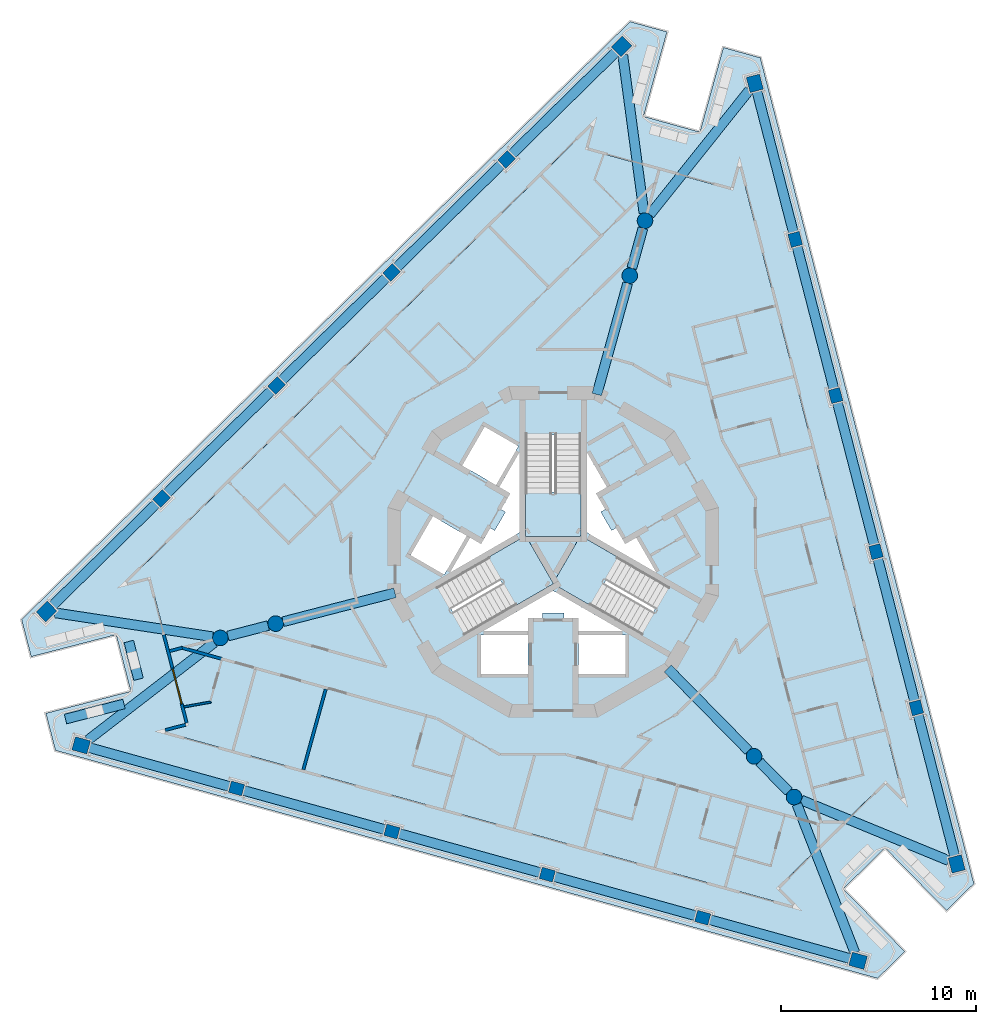
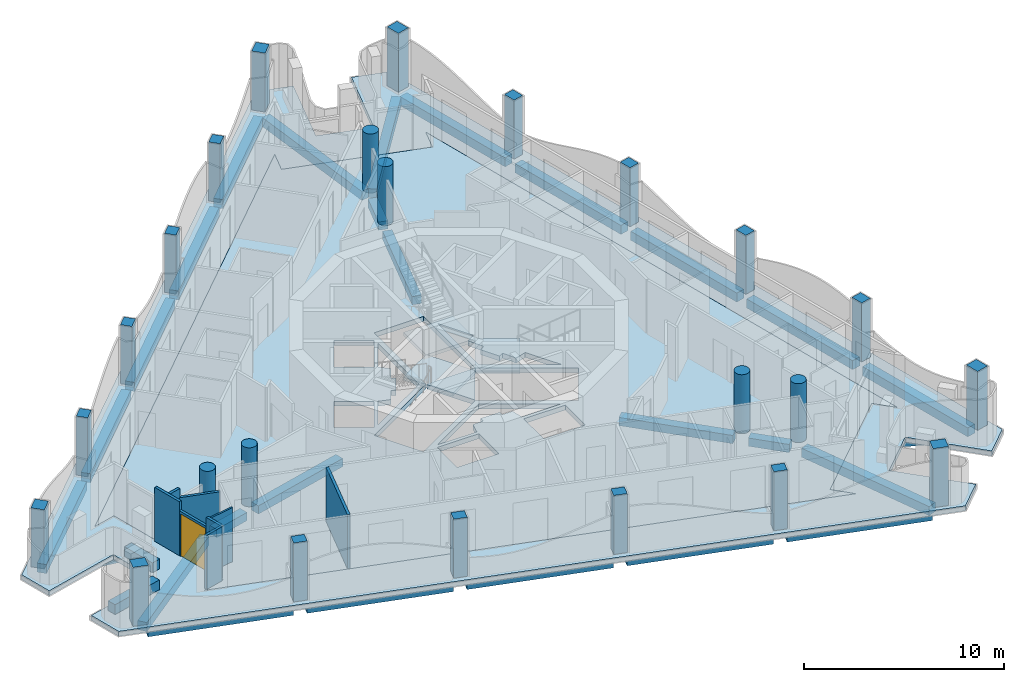
# One storey, part 1 of 14: 27 beams, 24 columns, 10 walls, 6 slabs, 1 door, 1 opening, 3 elements without a shape of their own.
"""IFC4 building model written with IfcOpenShell, lengths in metres."""

from ifc_helpers import new_model, si_unit, direction, frame, frame_2d, origin, origin_2d, place, context, subcontext, project, spatial, polyline, rectangle, circle, outline, extrude, material, layer, layer_set, material_profile, profile_set, type_object, element, fill, aggregate, save


model = new_model("IFC4")

# Units and contexts
model_context = context("Model", 3, precision=1e-05, world=origin(), true_north=direction((0.0, 1.0)))
body_context = subcontext(model_context, "Body", "Model", "MODEL_VIEW")
ifc_project = project(units=[si_unit("LENGTHUNIT", "METRE"), si_unit("AREAUNIT", "SQUARE_METRE"), si_unit("VOLUMEUNIT", "CUBIC_METRE"), si_unit("PLANEANGLEUNIT", "RADIAN"), si_unit("MASSUNIT", "GRAM", prefix="KILO")], contexts=[model_context])

# Site, building, storey
site_placement = place(None, origin())
site = spatial("IfcSite", under=ifc_project, at=site_placement, CompositionType="ELEMENT")
building_placement = place(site_placement, origin())
building = spatial("IfcBuilding", under=site, at=building_placement, Name="Trine Commons Tower", CompositionType="ELEMENT")
storey_placement = place(building_placement, frame((0.0, 0.0, 249.300048828125)))
storey = spatial("IfcBuildingStorey", under=building, at=storey_placement, Name="L65", CompositionType="ELEMENT", Elevation=249.300048828125)

# Columns
ifc_material_1 = material(Name="Concrete C50/60", Category="concrete")
ifc_material_profile_1 = material_profile(ifc_material_1, rectangle(XDim=0.699951171875, YDim=0.60009765625, at=origin_2d()), Name="RC 700x600")
ifc_profile_set_1 = profile_set([ifc_material_profile_1], Name="Concrete C50/60")
column_type_1 = type_object("IfcColumnType", Name="RC column 700x600, C50/60", PredefinedType="COLUMN", material=ifc_profile_set_1)
for number, where, z_axis, x_axis, name in (
    (1, (87.668701171875, 43.74072265625, 0.0), (0.0, 0.0, 1.0), (-0.963630453209, 0.267238376078, 0.0), "Column PC7-02 L65"),
    (2, (79.70068359375, 45.950439453125, 0.0), (0.0, 0.0, 1.0), (-0.963630453209, 0.267238376078, 0.0), "Column PC7-03 L65"),
    (3, (71.73291015625, 48.16015625, 0.0), (0.0, 0.0, 1.0), (-0.963630453209, 0.267238376078, 0.0), "Column PC7-04 L65"),
    (4, (63.764892578125, 50.369873046875, 0.0), (0.0, 0.0, 1.0), (-0.963630453209, 0.267238376078, 0.0), "Column PC7-05 L65"),
    (5, (59.91943359375, 65.23828125, 0.0), (0.0, 0.0, 1.0), (0.713250449154, 0.7009092643, 0.0), "Column PC7-08 L65"),
    (6, (65.817138671875, 71.033935546875, 0.0), (0.0, 0.0, 1.0), (0.713250449154, 0.7009092643, 0.0), "Column PC7-09 L65"),
    (7, (71.71484375, 76.82958984375, 0.0), (0.0, 0.0, 1.0), (0.713250449154, 0.7009092643, 0.0), "Column PC7-10 L65"),
    (8, (77.612548828125, 82.625244140625, 0.0), (0.0, 0.0, 1.0), (0.713250449154, 0.7009092643, 0.0), "Column PC7-11 L65"),
    (9, (92.41162109375, 78.52099609375, 0.0), (0.0, 0.0, 1.0), (-0.250380004054, 0.968147640378, 0.0), "Column PC7-14 L65"),
    (10, (94.48193359375, 70.515625, 0.0), (0.0, 0.0, 1.0), (-0.250380004054, 0.968147640378, 0.0), "Column PC7-15 L65"),
    (11, (96.55224609375, 62.51025390625, 0.0), (0.0, 0.0, 1.0), (-0.250380004054, 0.968147640378, 0.0), "Column PC7-16 L65"),
    (12, (98.622802734375, 54.5048828125, 0.0), (0.0, 0.0, 1.0), (-0.250380004054, 0.968147640378, 0.0), "Column PC7-17 L65"),
):
    element("IfcColumn", number, at=place(storey_placement, frame(where, z_axis=z_axis, x_axis=x_axis)), inside=storey, type_object=column_type_1, Name=name, PredefinedType="COLUMN", context=body_context, shape_type="SweptSolid", body=[
        extrude(rectangle(XDim=0.699951171875, YDim=0.60009765625, at=origin_2d()), origin(), (0.0, 0.0, 1.0), 3.599853515625),
    ])
ifc_material_profile_2 = material_profile(ifc_material_1, rectangle(XDim=0.800048828125, YDim=0.699951171875, at=origin_2d()), Name="RC 800x700")
ifc_profile_set_2 = profile_set([ifc_material_profile_2], Name="Concrete C50/60")
column_type_2 = type_object("IfcColumnType", Name="RC column 800x700, C50/60", PredefinedType="COLUMN", material=ifc_profile_set_2)
for number, where, z_axis, x_axis, name in (
    (13, (95.63671875, 41.531005859375, 0.0), (0.0, 0.0, 1.0), (-0.963630453209, 0.267238376078, 0.0), "Column PC7-01 L65"),
    (14, (55.796875, 52.57958984375, 0.0), (0.0, 0.0, 1.0), (-0.963630453209, 0.267238376078, 0.0), "Column PC7-06 L65"),
    (15, (54.02197265625, 59.442626953125, 0.0), (0.0, 0.0, 1.0), (0.713250449154, 0.7009092643, 0.0), "Column PC7-07 L65"),
    (16, (83.51025390625, 88.4208984375, 0.0), (0.0, 0.0, 1.0), (0.713250449154, 0.7009092643, 0.0), "Column PC7-12 L65"),
    (17, (90.34130859375, 86.5263671875, 0.0), (0.0, 0.0, 1.0), (-0.250380004054, 0.968147640378, 0.0), "Column PC7-13 L65"),
    (18, (100.693115234375, 46.499755859375, 0.0), (0.0, 0.0, 1.0), (-0.250380004054, 0.968147640378, 0.0), "Column PC7-18 L65"),
):
    element("IfcColumn", number, at=place(storey_placement, frame(where, z_axis=z_axis, x_axis=x_axis)), inside=storey, type_object=column_type_2, Name=name, PredefinedType="COLUMN", context=body_context, shape_type="SweptSolid", body=[
        extrude(rectangle(XDim=0.800048828125, YDim=0.699951171875, at=origin_2d()), origin(), (0.0, 0.0, 1.0), 3.599853515625),
    ])
ifc_material_profile_3 = material_profile(ifc_material_1, circle(Radius=0.39990234375, at=origin_2d()), Name="RC round 800")
ifc_profile_set_3 = profile_set([ifc_material_profile_3], Name="Concrete C50/60")
column_type_3 = type_object("IfcColumnType", Name="RC round column 800 mm, C50/60", PredefinedType="COLUMN", material=ifc_profile_set_3)
for number, where, z_axis, x_axis, name in (
    (19, (90.301513671875, 52.01708984375, 0.0), (0.0, 0.0, 1.0), (1.0, 0.0, 0.0), "Column WC7-1 L65"),
    (20, (92.352783203125, 49.9296875, 0.0), (0.0, 0.0, 1.0), (1.0, 0.0, 0.0), "Column WC7-2 L65"),
    (21, (83.927734375, 76.66259765625, 0.0), (0.0, 0.0, 1.0), (1.0, 0.0, 0.0), "Column WC7-3 L65"),
    (22, (84.709716796875, 79.48291015625, 0.0), (0.0, 0.0, 1.0), (1.0, 0.0, 0.0), "Column WC7-4 L65"),
    (23, (65.77099609375, 58.820068359375, 0.0), (0.0, 0.0, 1.0), (1.0, 0.0, 0.0), "Column WC7-5 L65"),
    (24, (62.9375, 58.08740234375, 0.0), (0.0, 0.0, 1.0), (1.0, 0.0, 0.0), "Column WC7-6 L65"),
):
    element("IfcColumn", number, at=place(storey_placement, frame(where, z_axis=z_axis, x_axis=x_axis)), inside=storey, type_object=column_type_3, Name=name, PredefinedType="COLUMN", context=body_context, shape_type="SweptSolid", body=[
        extrude(circle(Radius=0.39990234375, at=origin_2d()), origin(), (0.0, 0.0, 1.0), 3.599853515625),
    ])

# Beams
ifc_material_2 = material(Name="Concrete C40/50", Category="concrete")
ifc_material_profile_4 = material_profile(ifc_material_2, rectangle(XDim=0.5, YDim=0.5, at=origin_2d()), Name="RC 500x500")
ifc_profile_set_4 = profile_set([ifc_material_profile_4], Name="Concrete C40/50")
beam_type_1 = type_object("IfcBeamType", Name="RC beam 500x500, C40/50", PredefinedType="BEAM", material=ifc_profile_set_4)
beam_1_placement = place(storey_placement, frame((85.87353515625, 56.523193359375, -0.550048828125), z_axis=(0.700890997639, -0.713268399292, 0.0), x_axis=(0.713268399292, 0.700890997639, 0.0)))
element("IfcBeam", 25, at=beam_1_placement, inside=storey, type_object=beam_type_1, Name="Beam RB7-01 L65", PredefinedType="BEAM", context=body_context, shape_type="SweptSolid", body=[
    extrude(rectangle(XDim=0.5, YDim=0.5, at=origin_2d()), origin(), (0.0, 0.0, 1.0), 5.91748046875),
])
beam_2_placement = place(storey_placement, frame((90.581787109375, 51.73193359375, -0.550048828125), z_axis=(0.70093857454, -0.713221644877, 0.0), x_axis=(0.713221644877, 0.70093857454, 0.0)))
element("IfcBeam", 26, at=beam_2_placement, inside=storey, type_object=beam_type_1, Name="Beam RB7-02 L65", PredefinedType="BEAM", context=body_context, shape_type="SweptSolid", body=[
    extrude(rectangle(XDim=0.5, YDim=0.5, at=origin_2d()), origin(), (0.0, 0.0, 1.0), 2.126708984375),
])
beam_3_placement = place(storey_placement, frame((82.239501953125, 70.574951171875, -0.550048828125), z_axis=(0.267209770713, 0.963638385721, 0.0), x_axis=(-0.963638385721, 0.267209770713, 0.0)))
element("IfcBeam", 27, at=beam_3_placement, inside=storey, type_object=beam_type_1, Name="Beam RB7-03 L65", PredefinedType="BEAM", context=body_context, shape_type="SweptSolid", body=[
    extrude(rectangle(XDim=0.5, YDim=0.5, at=origin_2d()), origin(), (0.0, 0.0, 1.0), 5.917724609375),
])
beam_4_placement = place(storey_placement, frame((84.034423828125, 77.0478515625, -0.550048828125), z_axis=(0.267270963033, 0.963621415453, 0.0), x_axis=(-0.963621415453, 0.267270963033, 0.0)))
element("IfcBeam", 28, at=beam_4_placement, inside=storey, type_object=beam_type_1, Name="Beam RB7-04 L65", PredefinedType="BEAM", context=body_context, shape_type="SweptSolid", body=[
    extrude(rectangle(XDim=0.5, YDim=0.5, at=origin_2d()), origin(), (0.0, 0.0, 1.0), 2.12744140625),
])
beam_5_placement = place(storey_placement, frame((71.88720703125, 60.40185546875, -0.550048828125), z_axis=(-0.968150015074, -0.250370821607, 0.0), x_axis=(0.250370821607, -0.968150015074, 0.0)))
element("IfcBeam", 29, at=beam_5_placement, inside=storey, type_object=beam_type_1, Name="Beam RB7-05 L65", PredefinedType="BEAM", context=body_context, shape_type="SweptSolid", body=[
    extrude(rectangle(XDim=0.5, YDim=0.5, at=origin_2d()), origin(), (0.0, 0.0, 1.0), 5.91796875),
])
beam_6_placement = place(storey_placement, frame((65.384033203125, 58.72021484375, -0.550048828125), z_axis=(-0.968118610388, -0.250492227863, 0.0), x_axis=(0.250492227863, -0.968118610388, 0.0)))
element("IfcBeam", 30, at=beam_6_placement, inside=storey, type_object=beam_type_1, Name="Beam RB7-06 L65", PredefinedType="BEAM", context=body_context, shape_type="SweptSolid", body=[
    extrude(rectangle(XDim=0.5, YDim=0.5, at=origin_2d()), origin(), (0.0, 0.0, 1.0), 2.127685546875),
])
ifc_material_profile_5 = material_profile(ifc_material_2, rectangle(XDim=0.5, YDim=0.550048828125, at=origin_2d()), Name="RC 500x550")
ifc_profile_set_5 = profile_set([ifc_material_profile_5], Name="Concrete C40/50")
beam_type_2 = type_object("IfcBeamType", Name="RC beam 500x550, C40/50", PredefinedType="BEAM", material=ifc_profile_set_5)
beam_7_placement = place(storey_placement, frame((95.251220703125, 41.6376953125, -0.574951171875), z_axis=(-0.963621113681, 0.267272051042, 0.0), x_axis=(-0.267272051042, -0.963621113681, 0.0)))
element("IfcBeam", 31, at=beam_7_placement, inside=storey, type_object=beam_type_2, Name="Beam EB7-01 L65", PredefinedType="BEAM", context=body_context, shape_type="SweptSolid", body=[
    extrude(rectangle(XDim=0.5, YDim=0.550048828125, at=origin_2d()), origin(), (0.0, 0.0, 1.0), 7.5185546875),
])
for number, where, z_axis, x_axis, name in (
    (32, (87.33154296875, 43.834228515625, -0.574951171875), (-0.963628737279, 0.267244563445, 0.0), (-0.267244563445, -0.963628737279, 0.0), "Beam EB7-02 L65"),
    (33, (79.363525390625, 46.0439453125, -0.574951171875), (-0.963628737279, 0.267244563445, 0.0), (-0.267244563445, -0.963628737279, 0.0), "Beam EB7-03 L65"),
    (34, (71.3955078125, 48.253662109375, -0.574951171875), (-0.963628737279, 0.267244563445, 0.0), (-0.267244563445, -0.963628737279, 0.0), "Beam EB7-04 L65"),
):
    element("IfcBeam", number, at=place(storey_placement, frame(where, z_axis=z_axis, x_axis=x_axis)), inside=storey, type_object=beam_type_2, Name=name, PredefinedType="BEAM", context=body_context, shape_type="SweptSolid", body=[
        extrude(rectangle(XDim=0.5, YDim=0.550048828125, at=origin_2d()), origin(), (0.0, 0.0, 1.0), 7.56884765625),
    ])
for number, where, z_axis, x_axis, name in (
    (35, (63.427490234375, 50.46337890625, -0.574951171875), (-0.963629476257, 0.267241898827, 0.0), (-0.267241898827, -0.963629476257, 0.0), "Beam EB7-05 L65"),
    (36, (54.30712890625, 59.72314453125, -0.574951171875), (0.713265514722, 0.700893933137, 0.0), (-0.700893933137, 0.713265514722, 0.0), "Beam EB7-06 L65"),
):
    element("IfcBeam", number, at=place(storey_placement, frame(where, z_axis=z_axis, x_axis=x_axis)), inside=storey, type_object=beam_type_2, Name=name, PredefinedType="BEAM", context=body_context, shape_type="SweptSolid", body=[
        extrude(rectangle(XDim=0.5, YDim=0.550048828125, at=origin_2d()), origin(), (0.0, 0.0, 1.0), 7.5185546875),
    ])
for number, where, z_axis, x_axis, name in (
    (37, (60.169189453125, 65.483642578125, -0.574951171875), (0.713256929801, 0.700902669485, 0.0), (-0.700902669485, 0.713256929801, 0.0), "Beam EB7-07 L65"),
    (38, (66.06689453125, 71.279296875, -0.574951171875), (0.713256929801, 0.700902669485, 0.0), (-0.700902669485, 0.713256929801, 0.0), "Beam EB7-08 L65"),
    (39, (71.964599609375, 77.074951171875, -0.574951171875), (0.713241082752, 0.700918795492, 0.0), (-0.700918795492, 0.713241082752, 0.0), "Beam EB7-09 L65"),
):
    element("IfcBeam", number, at=place(storey_placement, frame(where, z_axis=z_axis, x_axis=x_axis)), inside=storey, type_object=beam_type_2, Name=name, PredefinedType="BEAM", context=body_context, shape_type="SweptSolid", body=[
        extrude(rectangle(XDim=0.5, YDim=0.550048828125, at=origin_2d()), origin(), (0.0, 0.0, 1.0), 7.568603515625),
    ])
beam_8_placement = place(storey_placement, frame((77.862060546875, 82.87060546875, -0.574951171875), z_axis=(0.713265514722, 0.700893933137, 0.0), x_axis=(-0.700893933137, 0.713265514722, 0.0)))
element("IfcBeam", 40, at=beam_8_placement, inside=storey, type_object=beam_type_2, Name="Beam EB7-10 L65", PredefinedType="BEAM", context=body_context, shape_type="SweptSolid", body=[
    extrude(rectangle(XDim=0.5, YDim=0.550048828125, at=origin_2d()), origin(), (0.0, 0.0, 1.0), 7.5185546875),
])
beam_9_placement = place(storey_placement, frame((90.441650390625, 86.13916015625, -0.574951171875), z_axis=(0.250381772483, -0.96814718303, 0.0), x_axis=(0.96814718303, 0.250381772483, 0.0)))
element("IfcBeam", 41, at=beam_9_placement, inside=storey, type_object=beam_type_2, Name="Beam EB7-11 L65", PredefinedType="BEAM", context=body_context, shape_type="SweptSolid", body=[
    extrude(rectangle(XDim=0.5, YDim=0.550048828125, at=origin_2d()), origin(), (0.0, 0.0, 1.0), 7.518798828125),
])
for number, where, z_axis, x_axis, name in (
    (42, (92.499267578125, 78.18212890625, -0.574951171875), (0.250375524013, -0.968148798985, 0.0), (0.968148798985, 0.250375524013, 0.0), "Beam EB7-12 L65"),
    (43, (94.569580078125, 70.1767578125, -0.574951171875), (0.250375524013, -0.968148798985, 0.0), (0.968148798985, 0.250375524013, 0.0), "Beam EB7-13 L65"),
    (44, (96.639892578125, 62.17138671875, -0.574951171875), (0.250413578195, -0.968138956894, 0.0), (0.968138956894, 0.250413578195, 0.0), "Beam EB7-14 L65"),
):
    element("IfcBeam", number, at=place(storey_placement, frame(where, z_axis=z_axis, x_axis=x_axis)), inside=storey, type_object=beam_type_2, Name=name, PredefinedType="BEAM", context=body_context, shape_type="SweptSolid", body=[
        extrude(rectangle(XDim=0.5, YDim=0.550048828125, at=origin_2d()), origin(), (0.0, 0.0, 1.0), 7.568603515625),
    ])
beam_10_placement = place(storey_placement, frame((98.710205078125, 54.166015625, -0.574951171875), z_axis=(0.250389643834, -0.96814514731, 0.0), x_axis=(0.96814514731, 0.250389643834, 0.0)))
element("IfcBeam", 45, at=beam_10_placement, inside=storey, type_object=beam_type_2, Name="Beam EB7-15 L65", PredefinedType="BEAM", context=body_context, shape_type="SweptSolid", body=[
    extrude(rectangle(XDim=0.5, YDim=0.550048828125, at=origin_2d()), origin(), (0.0, 0.0, 1.0), 7.5185546875),
])
beam_11_placement = place(storey_placement, frame((56.143310546875, 52.8466796875, -0.574951171875), z_axis=(0.79181565557, 0.610760155539, 0.0), x_axis=(-0.610760155539, 0.79181565557, 0.0)))
element("IfcBeam", 46, at=beam_11_placement, inside=storey, type_object=beam_type_2, Name="Beam CB7-01 L65", PredefinedType="BEAM", context=body_context, shape_type="SweptSolid", body=[
    extrude(rectangle(XDim=0.5, YDim=0.550048828125, at=origin_2d()), origin(), (0.0, 0.0, 1.0), 8.180908203125),
])
for number, where, z_axis, x_axis, name in (
    (47, (54.454345703125, 59.376953125, -0.574951171875), (0.98863822303, -0.150314550074, 0.0), (0.150314550074, 0.98863822303, 0.0), "Beam CB7-02 L65"),
    (48, (83.568359375, 87.9873046875, -0.574951171875), (0.1330354713, -0.99111127699, 0.0), (0.99111127699, 0.1330354713, 0.0), "Beam CB7-03 L65"),
):
    element("IfcBeam", number, at=place(storey_placement, frame(where, z_axis=z_axis, x_axis=x_axis)), inside=storey, type_object=beam_type_2, Name=name, PredefinedType="BEAM", context=body_context, shape_type="SweptSolid", body=[
        extrude(rectangle(XDim=0.5, YDim=0.550048828125, at=origin_2d()), origin(), (0.0, 0.0, 1.0), 8.18115234375),
    ])
beam_12_placement = place(storey_placement, frame((90.068115234375, 86.184814453125, -0.574951171875), z_axis=(-0.624465738686, -0.781052201333, 0.0), x_axis=(0.781052201333, -0.624465738686, 0.0)))
element("IfcBeam", 49, at=beam_12_placement, inside=storey, type_object=beam_type_2, Name="Beam CB7-04 L65", PredefinedType="BEAM", context=body_context, shape_type="SweptSolid", body=[
    extrude(rectangle(XDim=0.5, YDim=0.550048828125, at=origin_2d()), origin(), (0.0, 0.0, 1.0), 8.180908203125),
])
beam_13_placement = place(storey_placement, frame((100.28857421875, 46.666015625, -0.574951171875), z_axis=(-0.924841797532, 0.380352007407, 0.0), x_axis=(-0.380352007407, -0.924841797532, 0.0)))
element("IfcBeam", 50, at=beam_13_placement, inside=storey, type_object=beam_type_2, Name="Beam CB7-05 L65", PredefinedType="BEAM", context=body_context, shape_type="SweptSolid", body=[
    extrude(rectangle(XDim=0.5, YDim=0.550048828125, at=origin_2d()), origin(), (0.0, 0.0, 1.0), 8.1806640625),
])
beam_14_placement = place(storey_placement, frame((95.4775390625, 41.938232421875, -0.574951171875), z_axis=(-0.36416079705, 0.931336090727, 0.0), x_axis=(-0.931336090727, -0.36416079705, 0.0)))
element("IfcBeam", 51, at=beam_14_placement, inside=storey, type_object=beam_type_2, Name="Beam CB7-06 L65", PredefinedType="BEAM", context=body_context, shape_type="SweptSolid", body=[
    extrude(rectangle(XDim=0.5, YDim=0.550048828125, at=origin_2d()), origin(), (0.0, 0.0, 1.0), 8.18115234375),
])

# Slabs
ifc_layer_1 = layer(ifc_material_2, 0.300048828125)
ifc_layer_set_1 = layer_set([ifc_layer_1], Name="Concrete C40/50")
slab_type_1 = type_object("IfcSlabType", Name="Loggia slab 300 mm, C40/50", PredefinedType="FLOOR", material=ifc_layer_set_1)
slab_1_placement = place(storey_placement, frame((0.0, 0.0, -0.300048828125)))
element("IfcSlab", 52, at=slab_1_placement, inside=storey, type_object=slab_type_1, Name="Loggia slab L65", PredefinedType="FLOOR", context=body_context, shape_type="SweptSolid", body=[
    extrude(outline(polyline([(101.57421875, 45.488037109375), (90.621826171875, 87.83837890625), (88.72900390625, 88.36328125), (87.526611328125, 84.02685546875), (84.6357421875, 84.82861328125), (85.838134765625, 89.1650390625), (83.945556640625, 89.68994140625), (52.745361328125, 59.029541015625), (53.2373046875, 57.1279296875), (57.593994140625, 58.254638671875), (58.344970703125, 55.350341796875), (53.98828125, 54.2236328125), (54.47998046875, 52.322021484375), (96.6328125, 40.632080078125), (98.03369140625, 42.0087890625), (94.879638671875, 45.218505859375), (97.019287109375, 47.321044921875), (100.17333984375, 44.111572265625), (101.57421875, 45.488037109375)]), holes=[polyline([(59.31640625, 61.17919921875), (61.26953125, 53.627685546875), (59.96728515625, 53.291015625), (92.42822265625, 44.28857421875), (91.485595703125, 45.248046875), (97.048828125, 50.715087890625), (97.99169921875, 49.755615234375), (89.557373046875, 82.368896484375), (89.197998046875, 81.07275390625), (81.681640625, 83.1572265625), (82.041015625, 84.453369140625), (58.014404296875, 60.84228515625), (59.31640625, 61.17919921875)])]), origin(), (0.0, 0.0, 1.0), 0.300048828125),
])
ifc_layer_2 = layer(ifc_material_2, 0.300048828125)
ifc_layer_set_2 = layer_set([ifc_layer_2], Name="Concrete C40/50")
slab_type_2 = type_object("IfcSlabType", Name="PT flat slab 300 mm, C40/50", PredefinedType="FLOOR", material=ifc_layer_set_2)
slab_2_placement = place(storey_placement, frame((0.0, 0.0, -0.300048828125)))
element("IfcSlab", 53, at=slab_2_placement, inside=storey, type_object=slab_type_2, Name="Floor slab L65", PredefinedType="FLOOR", context=body_context, shape_type="SweptSolid", body=[
    extrude(outline(polyline([(58.014404296875, 60.84228515625), (59.31640625, 61.17919921875), (61.26953125, 53.627685546875), (59.96728515625, 53.291015625), (92.42822265625, 44.28857421875), (91.485595703125, 45.248046875), (97.048828125, 50.715087890625), (97.99169921875, 49.755615234375), (89.557373046875, 82.368896484375), (89.197998046875, 81.07275390625), (81.681640625, 83.1572265625), (82.041015625, 84.453369140625), (58.014404296875, 60.84228515625)]), holes=[polyline([(78.699951171875, 56.25), (78.699951171875, 58.25), (76.300048828125, 58.25), (76.300048828125, 56.25), (78.699951171875, 56.25)]), polyline([(83.699951171875, 56.25), (83.699951171875, 58.25), (81.300048828125, 58.25), (81.300048828125, 56.25), (83.699951171875, 56.25)]), polyline([(81.300048828125, 58.449951171875), (83.56494140625, 58.449951171875), (80.0, 60.508056640625), (76.43505859375, 58.449951171875), (78.699951171875, 58.449951171875), (78.85009765625, 59.10009765625), (79.449951171875, 59.10009765625), (79.449951171875, 59.360107421875), (80.550048828125, 59.360107421875), (80.550048828125, 59.10009765625), (81.14990234375, 59.10009765625), (81.300048828125, 58.449951171875)]), polyline([(81.425048828125, 63.32275390625), (81.425048828125, 68.490478515625), (78.574951171875, 68.490478515625), (78.574951171875, 63.32275390625), (74.099609375, 60.73876953125), (75.5244140625, 58.2705078125), (80.0, 60.8544921875), (84.4755859375, 58.2705078125), (85.900390625, 60.73876953125), (81.425048828125, 63.32275390625)]), polyline([(72.687255859375, 62.333984375), (74.41943359375, 61.333984375), (75.5693359375, 63.325927734375), (73.83740234375, 64.325927734375), (72.687255859375, 62.333984375)]), polyline([(76.381103515625, 63.031005859375), (75.742919921875, 63.22607421875), (74.7099609375, 61.43798828125), (78.27490234375, 63.49609375), (78.27490234375, 67.612060546875), (77.242919921875, 65.823974609375), (77.73095703125, 65.368896484375), (77.3310546875, 64.676025390625), (77.555908203125, 64.5458984375), (77.006103515625, 63.593994140625), (76.781005859375, 63.722900390625), (76.381103515625, 63.031005859375)]), polyline([(82.993896484375, 63.593994140625), (82.444091796875, 64.5458984375), (82.72705078125, 64.7099609375), (82.281005859375, 65.549072265625), (82.757080078125, 65.823974609375), (81.72509765625, 67.612060546875), (81.72509765625, 63.49609375), (85.2900390625, 61.43798828125), (84.257080078125, 63.22607421875), (83.618896484375, 63.031005859375), (83.243896484375, 63.738037109375), (82.993896484375, 63.593994140625)]), polyline([(76.4873046875, 68.916015625), (75.33740234375, 66.924072265625), (77.0693359375, 65.924072265625), (78.219482421875, 67.916015625), (76.4873046875, 68.916015625)])]), origin(), (0.0, 0.0, 1.0), 0.300048828125),
])
slab_3_placement = place(storey_placement, frame((0.0, 0.0, -0.300048828125)))
element("IfcSlab", 54, at=slab_3_placement, inside=storey, type_object=slab_type_2, Name="Floor slab L65 2", PredefinedType="FLOOR", context=body_context, shape_type="SweptSolid", body=[
    extrude(outline(polyline([(81.38671875, 63.300537109375), (78.61328125, 63.300537109375), (80.0, 60.89892578125), (81.38671875, 63.300537109375)])), origin(), (0.0, 0.0, 1.0), 0.300048828125),
])

# Stair, slab
stair_type = type_object("IfcStairType", Name="Exit stair, dog-leg, 24 risers of 150 mm", PredefinedType="HALF_TURN_STAIR", material=ifc_material_1)
stair_1_placement = place(storey_placement, origin())
stair_1 = element("IfcStair", 55, at=stair_1_placement, inside=storey, type_object=stair_type, Name="L65 Exit stair ST1C", PredefinedType="HALF_TURN_STAIR")
ifc_layer_3 = layer(ifc_material_1, 0.199951171875)
ifc_layer_set_3 = layer_set([ifc_layer_3], Name="Concrete C50/60")
slab_type_3 = type_object("IfcSlabType", Name="Stair landing slab 200 mm, C50/60", PredefinedType="LANDING", material=ifc_layer_set_3)
slab_4_placement = place(storey_placement, frame((0.0, 0.0, 1.599853515625)))
slab_4 = element("IfcSlab", 56, at=slab_4_placement, type_object=slab_type_3, Name="ST1C landing 1", PredefinedType="LANDING", context=body_context, shape_type="SweptSolid", body=[
    extrude(outline(polyline([(78.574951171875, 65.570556640625), (78.574951171875, 63.300537109375), (81.425048828125, 63.300537109375), (81.425048828125, 65.570556640625), (78.574951171875, 65.570556640625)])), origin(), (0.0, 0.0, 1.0), 0.2001953125),
])
aggregate(stair_1, [slab_4])

stair_2_placement = place(storey_placement, origin())
stair_2 = element("IfcStair", 57, at=stair_2_placement, inside=storey, type_object=stair_type, Name="L65 Exit stair ST2C", PredefinedType="HALF_TURN_STAIR")
slab_5_placement = place(storey_placement, frame((0.0, 0.0, 1.599853515625)))
slab_5 = element("IfcSlab", 58, at=slab_5_placement, type_object=slab_type_3, Name="ST2C landing 1", PredefinedType="LANDING", context=body_context, shape_type="SweptSolid", body=[
    extrude(outline(polyline([(78.05322265625, 59.730712890625), (80.019287109375, 60.86572265625), (78.59423828125, 63.333740234375), (76.628173828125, 62.19873046875), (78.05322265625, 59.730712890625)])), origin(), (0.0, 0.0, 1.0), 0.2001953125),
])
aggregate(stair_2, [slab_5])

stair_3_placement = place(storey_placement, origin())
stair_3 = element("IfcStair", 59, at=stair_3_placement, inside=storey, type_object=stair_type, Name="L65 Exit stair ST3C", PredefinedType="HALF_TURN_STAIR")
slab_6_placement = place(storey_placement, frame((0.0, 0.0, 1.599853515625)))
slab_6 = element("IfcSlab", 60, at=slab_6_placement, type_object=slab_type_3, Name="ST3C landing 1", PredefinedType="LANDING", context=body_context, shape_type="SweptSolid", body=[
    extrude(outline(polyline([(83.371826171875, 62.19873046875), (81.40576171875, 63.333740234375), (79.980712890625, 60.86572265625), (81.94677734375, 59.730712890625), (83.371826171875, 62.19873046875)])), origin(), (0.0, 0.0, 1.0), 0.2001953125),
])
aggregate(stair_3, [slab_6])

# Walls
ifc_material_3 = material(Name="Aluminium-framed insulated wall panel", Category="aluminium")
ifc_layer_4 = layer(ifc_material_3, 0.14990234375)
ifc_layer_set_4 = layer_set([ifc_layer_4], Name="Aluminium-framed insulated wall panel")
wall_type_1 = type_object("IfcWallType", Name="Glazed frame wall 150, EI 60", PredefinedType="SOLIDWALL", material=ifc_layer_set_4)
wall_1_placement = place(storey_placement, frame((59.95849609375, 53.32470703125, 0.0), z_axis=(0.0, 0.0, 1.0), x_axis=(0.968124150503, 0.250470815091, 0.0)))
element("IfcWall", 61, at=wall_1_placement, inside=storey, type_object=wall_type_1, Name="Glazed frame wall R10", PredefinedType="SOLIDWALL", context=body_context, shape_type="SweptSolid", body=[
    extrude(outline(polyline([(0.1494140625, 0.074951171875), (0.1494140625, -0.074951171875), (1.235107421875, -0.074951171875), (1.235107421875, 0.074951171875), (0.1494140625, 0.074951171875)])), origin(), (0.0, 0.0, 1.0), 3.300048828125),
])
wall_2_placement = place(storey_placement, frame((61.235595703125, 53.618896484375, 0.0), z_axis=(0.0, 0.0, 1.0), x_axis=(-0.250361300835, 0.968152477167, 0.0)))
element("IfcWall", 62, at=wall_2_placement, inside=storey, type_object=wall_type_1, Name="Glazed frame wall P3.1", PredefinedType="SOLIDWALL", context=body_context, shape_type="SweptSolid", body=[
    extrude(outline(polyline([(0.110107421875, -0.074951171875), (1.10009765625, -0.074951171875), (1.10009765625, 0.074951171875), (0.110107421875, 0.074951171875), (0.110107421875, -0.074951171875)])), origin(), (0.0, 0.0, 1.0), 3.300048828125),
])

# Wall, opening, door
wall_3_placement = place(storey_placement, frame((60.960205078125, 54.683837890625, 0.0), z_axis=(0.0, 0.0, 1.0), x_axis=(-0.250450586115, 0.968129383871, 0.0)))
wall_3 = element("IfcWall", 63, at=wall_3_placement, inside=storey, type_object=wall_type_1, Name="Glazed frame wall P3.2", PredefinedType="SOLIDWALL", context=body_context, shape_type="SweptSolid", body=[
    extrude(outline(polyline([(0.0, -0.074951171875), (1.92138671875, -0.074951171875), (1.92138671875, 0.074951171875), (0.0, 0.074951171875), (0.0, -0.074951171875)])), origin(), (0.0, 0.0, 1.0), 2.75),
])
opening_placement = place(wall_3_placement, frame((0.050048828125, 0.0, 0.0)))
opening = element("IfcOpeningElement", 64, at=opening_placement, cuts=wall_3, Name="Opening BD-7P3-01", PredefinedType="OPENING", context=body_context, shape_type="SweptSolid", body=[
    extrude(rectangle(XDim=1.800048828125, YDim=2.60009765625, at=frame_2d((0.89990234375, 1.300048828125))), frame((0.0, 0.0849609375, 0.0), z_axis=(0.0, -1.0, 0.0), x_axis=(1.0, 0.0, 0.0)), (0.0, 0.0, 1.0), 0.169921875),
])
ifc_material_4 = material(Name="Anodised aluminium frame with double glazing", Category="aluminium")
door_type = type_object("IfcDoorType", Name="Sliding loggia door 1800x2600", OperationType="SLIDING_TO_LEFT", PredefinedType="DOOR", material=ifc_material_4)
door_placement = place(opening_placement, origin())
door = element("IfcDoor", 65, at=door_placement, inside=storey, type_object=door_type, Name="Loggia door P3 1", OperationType="SLIDING_TO_LEFT", OverallHeight=2.60009765625, OverallWidth=1.800048828125, PredefinedType="DOOR", context=body_context, shape_type="SweptSolid", body=[
    extrude(rectangle(XDim=1.800048828125, YDim=2.60009765625, at=frame_2d((0.89990234375, 1.300048828125))), frame((0.0, 0.02490234375, 0.0), z_axis=(0.0, -1.0, 0.0), x_axis=(1.0, 0.0, 0.0)), (0.0, 0.0, 1.0), 0.050048828125),
])
fill(opening, door)

# Walls
wall_4_placement = place(storey_placement, frame((60.47900390625, 56.5439453125, 0.0), z_axis=(0.0, 0.0, 1.0), x_axis=(-0.250373840462, 0.968149234371, 0.0)))
element("IfcWall", 66, at=wall_4_placement, inside=storey, type_object=wall_type_1, Name="Glazed frame wall P3.3", PredefinedType="SOLIDWALL", context=body_context, shape_type="SweptSolid", body=[
    extrude(outline(polyline([(0.0, -0.074951171875), (1.757080078125, -0.074951171875), (1.757080078125, 0.074951171875), (0.0, 0.074951171875), (0.0, -0.074951171875)])), origin(), (0.0, 0.0, 1.0), 3.300048828125),
])
ifc_material_5 = material(Name="Planter trough, precast concrete C40/50", Category="concrete")
ifc_layer_5 = layer(ifc_material_5, 0.5)
ifc_layer_set_5 = layer_set([ifc_layer_5], Name="Planter trough, precast concrete C40/50")
wall_type_2 = type_object("IfcWallType", Name="Planter trough 500x600", PredefinedType="PARAPET", material=ifc_layer_set_5)
wall_5_placement = place(storey_placement, frame((54.994873046875, 53.92626953125, 0.0), z_axis=(0.0, 0.0, 1.0), x_axis=(0.968151190511, 0.250366276306, 0.0)))
element("IfcWall", 67, at=wall_5_placement, inside=storey, type_object=wall_type_2, Name="Planter 1", PredefinedType="PARAPET", context=body_context, shape_type="SweptSolid", body=[
    extrude(rectangle(XDim=3.099853515625, YDim=0.5, at=frame_2d((1.5498046875, 0.0))), origin(), (0.0, 0.0, 1.0), 0.599853515625),
])
wall_6_placement = place(storey_placement, frame((58.74267578125, 55.969482421875, 0.0), z_axis=(0.0, 0.0, 1.0), x_axis=(-0.250483427189, 0.968120887443, 0.0)))
element("IfcWall", 68, at=wall_6_placement, inside=storey, type_object=wall_type_2, Name="Planter 2", PredefinedType="PARAPET", context=body_context, shape_type="SweptSolid", body=[
    extrude(rectangle(XDim=2.0, YDim=0.5, at=frame_2d((1.0, 0.0))), origin(), (0.0, 0.0, 1.0), 0.599853515625),
])
ifc_material_6 = material(Name="Gypsum plasterboard on steel stud", Category="steel")
ifc_layer_6 = layer(ifc_material_6, 0.14990234375)
ifc_layer_set_6 = layer_set([ifc_layer_6], Name="Gypsum plasterboard on steel stud")
wall_type_3 = type_object("IfcWallType", Name="Unit and corridor wall 150 mm, EI 60", PredefinedType="PARTITIONING", material=ifc_layer_set_6)
wall_7_placement = place(storey_placement, frame((60.331787109375, 57.4130859375, 0.0), z_axis=(0.0, 0.0, 1.0), x_axis=(0.968209183311, 0.250141914426, 0.0)))
element("IfcWall", 69, at=wall_7_placement, inside=storey, type_object=wall_type_3, Name="Partition 001", PredefinedType="PARTITIONING", context=body_context, shape_type="SweptSolid", body=[
    extrude(rectangle(XDim=0.67138671875, YDim=0.14990234375, at=frame_2d((0.335693359375, 0.0))), origin(), (0.0, 0.0, 1.0), 3.300048828125),
])
wall_8_placement = place(storey_placement, frame((60.898681640625, 57.59912109375, 0.0), z_axis=(0.0, 0.0, 1.0), x_axis=(0.963611333455, -0.267307310107, 0.0)))
element("IfcWall", 70, at=wall_8_placement, inside=storey, type_object=wall_type_3, Name="Partition 002", PredefinedType="PARTITIONING", context=body_context, shape_type="SweptSolid", body=[
    extrude(rectangle(XDim=2.20751953125, YDim=0.14990234375, at=frame_2d((1.103759765625, 0.0))), origin(), (0.0, 0.0, 1.0), 2.75),
])
wall_9_placement = place(storey_placement, frame((67.191650390625, 51.32861328125, 0.0), z_axis=(0.0, 0.0, 1.0), x_axis=(0.267270648008, 0.963621502828, 0.0)))
element("IfcWall", 71, at=wall_9_placement, inside=storey, type_object=wall_type_3, Name="Partition 015", PredefinedType="PARTITIONING", context=body_context, shape_type="SweptSolid", body=[
    extrude(rectangle(XDim=4.284912109375, YDim=0.14990234375, at=frame_2d((2.142578125, 0.0))), origin(), (0.0, 0.0, 1.0), 3.300048828125),
])
ifc_layer_7 = layer(ifc_material_6, 0.10009765625)
ifc_layer_set_7 = layer_set([ifc_layer_7], Name="Gypsum plasterboard on steel stud")
wall_type_4 = type_object("IfcWallType", Name="Unit partition 100 mm, no rating", PredefinedType="PARTITIONING", material=ifc_layer_set_7)
wall_10_placement = place(storey_placement, frame((61.0712890625, 54.553955078125, 0.0), z_axis=(0.0, 0.0, 1.0), x_axis=(0.984390043895, 0.176000686023, 0.0)))
element("IfcWall", 72, at=wall_10_placement, inside=storey, type_object=wall_type_4, Name="Partition 004", PredefinedType="PARTITIONING", context=body_context, shape_type="SweptSolid", body=[
    extrude(rectangle(XDim=1.407958984375, YDim=0.10009765625, at=frame_2d((0.7041015625, 0.0))), origin(), (0.0, 0.0, 1.0), 3.300048828125),
])

save(model, "model.ifc")
